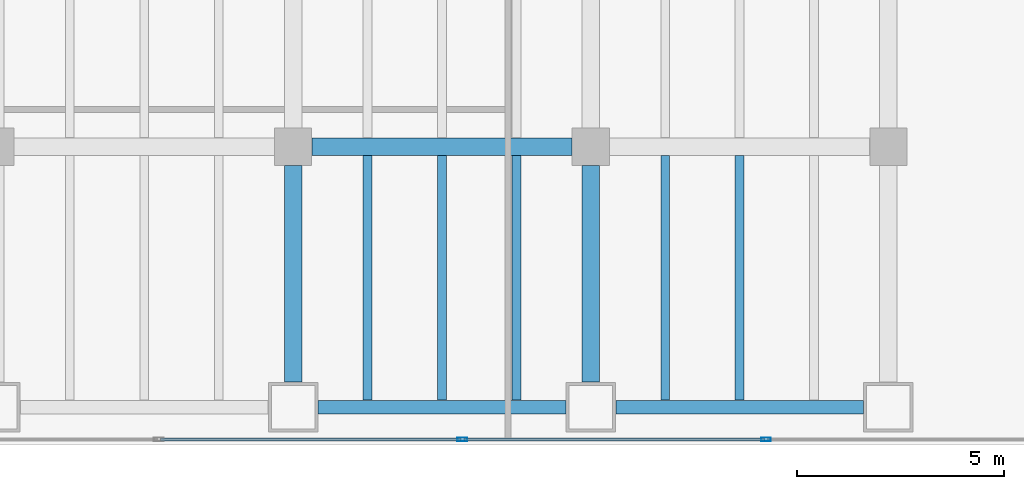
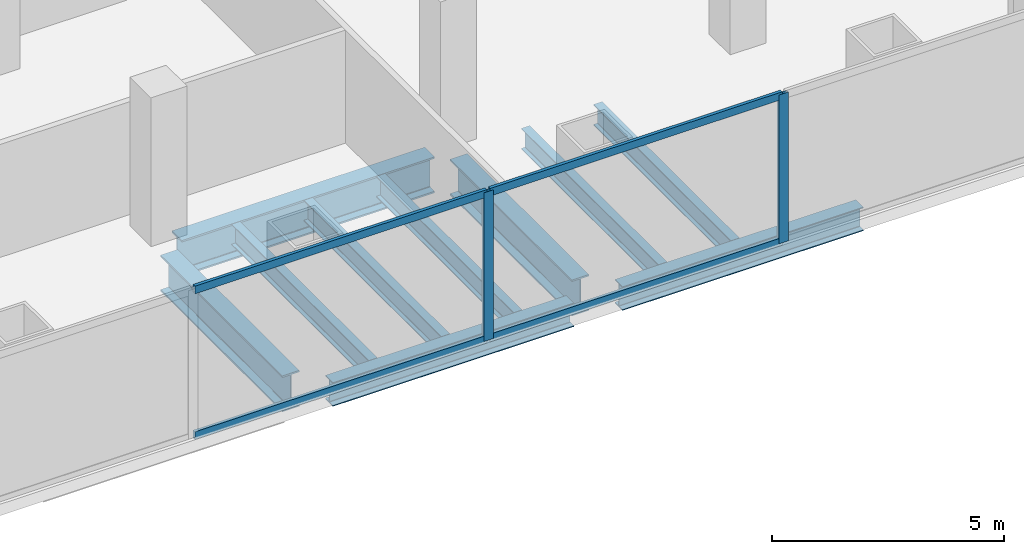
# One storey, part 16 of 29: 10 beams, 6 members, 1 element without a shape of its own.
"""IFC4 building model written with IfcOpenShell, lengths in metres."""

from ifc_helpers import new_model, si_unit, direction, frame, origin, origin_2d, place, context, subcontext, project, spatial, hollow_rectangle, i_section, extrude, material, material_profile, profile_set, type_object, element, aggregate, save


model = new_model("IFC4")

# Units and contexts
model_context = context("Model", 3, precision=1e-05, world=origin(), true_north=direction((0.0, 1.0)))
body_context = subcontext(model_context, "Body", "Model", "MODEL_VIEW")
ifc_project = project(units=[si_unit("LENGTHUNIT", "METRE"), si_unit("AREAUNIT", "SQUARE_METRE"), si_unit("VOLUMEUNIT", "CUBIC_METRE"), si_unit("PLANEANGLEUNIT", "RADIAN"), si_unit("MASSUNIT", "GRAM", prefix="KILO")], contexts=[model_context])

# Site, building, storey
site_placement = place(None, origin())
site = spatial("IfcSite", under=ifc_project, at=site_placement, CompositionType="ELEMENT")
building_placement = place(site_placement, origin())
building = spatial("IfcBuilding", under=site, at=building_placement, Name="Cobrela Telecom Tower", CompositionType="ELEMENT")
storey_placement = place(building_placement, frame((0.0, 0.0, 13.64990234375)))
storey = spatial("IfcBuildingStorey", under=building, at=storey_placement, Name="L03", CompositionType="ELEMENT", Elevation=13.64990234375)

# Beams
ifc_material_1 = material(Name="Steel ASTM A992 Grade 50", Category="steel")
ifc_material_profile_1 = material_profile(ifc_material_1, i_section(OverallWidth=0.424072265625, OverallDepth=0.947021484375, WebThickness=0.02392578125, FlangeThickness=0.042724609375, FilletRadius=0.02392578125, at=origin_2d()), Name="W36X302")
ifc_profile_set_1 = profile_set([ifc_material_profile_1], Name="Steel ASTM A992 Grade 50")
beam_type_1 = type_object("IfcBeamType", Name="BM-GIRD-01", PredefinedType="USERDEFINED", material=ifc_profile_set_1)
beam_placement = place(storey_placement, frame((65.2548828125, 7.199951171875, -0.7734375), z_axis=(1.0, 0.0, 0.0), x_axis=(0.0, 1.0, 0.0)))
element("IfcBeam", 1, at=beam_placement, inside=storey, type_object=beam_type_1, Name="L03 Primary Girder X18", ObjectType="GIRDER", PredefinedType="USERDEFINED", context=body_context, shape_type="SweptSolid", body=[
    extrude(i_section(OverallWidth=0.424072265625, OverallDepth=0.947021484375, WebThickness=0.02392578125, FlangeThickness=0.042724609375, FilletRadius=0.02392578125, at=origin_2d()), origin(), (0.0, 0.0, 1.0), 6.2900390625),
])
for number, where, z_axis, x_axis, name in (
    (2, (64.800048828125, 1.5048828125, -0.7734375), (0.0, 1.0, 0.0), (-1.0, 0.0, 0.0), "L03 Primary Girder Y91"),
    (3, (72.0, 1.5048828125, -0.7734375), (0.0, 1.0, 0.0), (-1.0, 0.0, 0.0), "L03 Primary Girder Y94"),
):
    element("IfcBeam", number, at=place(storey_placement, frame(where, z_axis=z_axis, x_axis=x_axis)), inside=storey, type_object=beam_type_1, Name=name, ObjectType="GIRDER", PredefinedType="USERDEFINED", context=body_context, shape_type="SweptSolid", body=[
        extrude(i_section(OverallWidth=0.424072265625, OverallDepth=0.947021484375, WebThickness=0.02392578125, FlangeThickness=0.042724609375, FilletRadius=0.02392578125, at=origin_2d()), origin(), (0.0, 0.0, 1.0), 5.240234375),
    ])
ifc_material_profile_2 = material_profile(ifc_material_1, i_section(OverallWidth=0.212890625, OverallDepth=0.549072265625, WebThickness=0.0146484375, FlangeThickness=0.023681640625, FilletRadius=0.013916015625, at=origin_2d()), Name="W21X93")
ifc_profile_set_2 = profile_set([ifc_material_profile_2], Name="Steel ASTM A992 Grade 50")
beam_type_2 = type_object("IfcBeamType", Name="BM-JOIST-01", PredefinedType="JOIST", material=ifc_profile_set_2)
for number, where, z_axis, x_axis, name in (
    (4, (66.60009765625, 1.069091796875, -0.574462890625), (0.0, 1.0, 0.0), (-1.0, 0.0, 0.0), "L03 Secondary Composite Floor Beam J118"),
    (5, (68.39990234375, 1.069091796875, -0.574462890625), (0.0, 1.0, 0.0), (-1.0, 0.0, 0.0), "L03 Secondary Composite Floor Beam J121"),
    (6, (70.199951171875, 1.069091796875, -0.574462890625), (0.0, 1.0, 0.0), (-1.0, 0.0, 0.0), "L03 Secondary Composite Floor Beam J124"),
    (7, (73.800048828125, 1.069091796875, -0.574462890625), (0.0, 1.0, 0.0), (-1.0, 0.0, 0.0), "L03 Secondary Composite Floor Beam J127"),
    (8, (75.60009765625, 1.069091796875, -0.574462890625), (0.0, 1.0, 0.0), (-1.0, 0.0, 0.0), "L03 Secondary Composite Floor Beam J130"),
):
    element("IfcBeam", number, at=place(storey_placement, frame(where, z_axis=z_axis, x_axis=x_axis)), inside=storey, type_object=beam_type_2, Name=name, PredefinedType="JOIST", context=body_context, shape_type="SweptSolid", body=[
        extrude(i_section(OverallWidth=0.212890625, OverallDepth=0.549072265625, WebThickness=0.0146484375, FlangeThickness=0.023681640625, FilletRadius=0.013916015625, at=origin_2d()), origin(), (0.0, 0.0, 1.0), 5.913818359375),
    ])
ifc_material_profile_3 = material_profile(ifc_material_1, i_section(OverallWidth=0.327880859375, OverallDepth=0.6220703125, WebThickness=0.015380859375, FlangeThickness=0.0244140625, FilletRadius=0.014892578125, at=origin_2d()), Name="W24X131")
ifc_profile_set_3 = profile_set([ifc_material_profile_3], Name="Steel ASTM A992 Grade 50")
beam_type_3 = type_object("IfcBeamType", Name="BM-SPAND-01", PredefinedType="SPANDREL", material=ifc_profile_set_3)
for number, where, z_axis, x_axis, name in (
    (9, (65.405029296875, 0.89990234375, -0.61083984375), (1.0, 0.0, 0.0), (0.0, 1.0, 0.0), "L03 Perimeter Spandrel X08"),
    (10, (72.60498046875, 0.89990234375, -0.61083984375), (1.0, 0.0, 0.0), (0.0, 1.0, 0.0), "L03 Perimeter Spandrel X09"),
):
    element("IfcBeam", number, at=place(storey_placement, frame(where, z_axis=z_axis, x_axis=x_axis)), inside=storey, type_object=beam_type_3, Name=name, PredefinedType="SPANDREL", context=body_context, shape_type="SweptSolid", body=[
        extrude(i_section(OverallWidth=0.327880859375, OverallDepth=0.6220703125, WebThickness=0.015380859375, FlangeThickness=0.0244140625, FilletRadius=0.014892578125, at=origin_2d()), origin(), (0.0, 0.0, 1.0), 5.989990234375),
    ])

# Curtain wall, members
ifc_material_2 = material(Name="Anodized Bronze Aluminium 6063-T6", Category="aluminium")
curtain_wall_type = type_object("IfcCurtainWallType", Name="CW-SYS-CONC", PredefinedType="USERDEFINED", material=ifc_material_2)
curtain_wall_placement = place(storey_placement, origin())
curtain_wall = element("IfcCurtainWall", 11, at=curtain_wall_placement, inside=storey, type_object=curtain_wall_type, Name="L03 Unitised Bronze Curtain Wall 17", ObjectType="UNITISED CURTAIN WALL", PredefinedType="USERDEFINED")
ifc_material_profile_4 = material_profile(ifc_material_2, hollow_rectangle(XDim=0.080078125, YDim=0.239990234375, WallThickness=0.0048828125, at=origin_2d()), Name="ALU 80x240x5")
ifc_profile_set_4 = profile_set([ifc_material_profile_4], Name="Anodized Bronze Aluminium 6063-T6")
member_type_1 = type_object("IfcMemberType", Name="CW-SYS-CONC-MUL", PredefinedType="MULLION", material=ifc_profile_set_4)
member_1_placement = place(storey_placement, frame((76.23828125, 0.1201171875, 0.0), z_axis=(0.0, 0.0, 1.0), x_axis=(0.0, -1.0, 0.0)))
member_1 = element("IfcMember", 12, at=member_1_placement, type_object=member_type_1, Name="CW-CONC mullion 2", PredefinedType="MULLION", context=body_context, shape_type="SweptSolid", body=[
    extrude(hollow_rectangle(XDim=0.080078125, YDim=0.239990234375, WallThickness=0.0048828125, at=origin_2d()), origin(), (0.0, 0.0, 1.0), 3.91015625),
])
member_2_placement = place(storey_placement, frame((68.896484375, 0.1201171875, 0.0), z_axis=(0.0, 0.0, 1.0), x_axis=(0.0, -1.0, 0.0)))
member_2 = element("IfcMember", 13, at=member_2_placement, type_object=member_type_1, Name="CW-CONC mullion 3", PredefinedType="MULLION", context=body_context, shape_type="SweptSolid", body=[
    extrude(hollow_rectangle(XDim=0.080078125, YDim=0.239990234375, WallThickness=0.0048828125, at=origin_2d()), origin(), (0.0, 0.0, 1.0), 3.91015625),
])
ifc_material_profile_5 = material_profile(ifc_material_2, hollow_rectangle(XDim=0.080078125, YDim=0.199951171875, WallThickness=0.00390625, at=origin_2d()), Name="ALU 80x200x4")
ifc_profile_set_5 = profile_set([ifc_material_profile_5], Name="Anodized Bronze Aluminium 6063-T6")
member_type_2 = type_object("IfcMemberType", Name="CW-SYS-CONC-TRN", PredefinedType="USERDEFINED", material=ifc_profile_set_5)
member_3_placement = place(storey_placement, frame((76.1982421875, 0.1201171875, 0.0400390625), z_axis=(-1.0, 0.0, 0.0), x_axis=(0.0, -1.0, 0.0)))
member_3 = element("IfcMember", 14, at=member_3_placement, type_object=member_type_2, Name="CW-CONC transom 2.1", ObjectType="TRANSOM", PredefinedType="USERDEFINED", context=body_context, shape_type="SweptSolid", body=[
    extrude(hollow_rectangle(XDim=0.080078125, YDim=0.199951171875, WallThickness=0.00390625, at=origin_2d()), origin(), (0.0, 0.0, 1.0), 7.261962890625),
])
member_4_placement = place(storey_placement, frame((76.1982421875, 0.1201171875, 3.8701171875), z_axis=(-1.0, 0.0, 0.0), x_axis=(0.0, -1.0, 0.0)))
member_4 = element("IfcMember", 15, at=member_4_placement, type_object=member_type_2, Name="CW-CONC transom 2.2", ObjectType="TRANSOM", PredefinedType="USERDEFINED", context=body_context, shape_type="SweptSolid", body=[
    extrude(hollow_rectangle(XDim=0.080078125, YDim=0.199951171875, WallThickness=0.00390625, at=origin_2d()), origin(), (0.0, 0.0, 1.0), 7.261962890625),
])
member_5_placement = place(storey_placement, frame((68.8564453125, 0.1201171875, 0.0400390625), z_axis=(-1.0, 0.0, 0.0), x_axis=(0.0, -1.0, 0.0)))
member_5 = element("IfcMember", 16, at=member_5_placement, type_object=member_type_2, Name="CW-CONC transom 3.1", ObjectType="TRANSOM", PredefinedType="USERDEFINED", context=body_context, shape_type="SweptSolid", body=[
    extrude(hollow_rectangle(XDim=0.080078125, YDim=0.199951171875, WallThickness=0.00390625, at=origin_2d()), origin(), (0.0, 0.0, 1.0), 7.261962890625),
])
member_6_placement = place(storey_placement, frame((68.8564453125, 0.1201171875, 3.8701171875), z_axis=(-1.0, 0.0, 0.0), x_axis=(0.0, -1.0, 0.0)))
member_6 = element("IfcMember", 17, at=member_6_placement, type_object=member_type_2, Name="CW-CONC transom 3.2", ObjectType="TRANSOM", PredefinedType="USERDEFINED", context=body_context, shape_type="SweptSolid", body=[
    extrude(hollow_rectangle(XDim=0.080078125, YDim=0.199951171875, WallThickness=0.00390625, at=origin_2d()), origin(), (0.0, 0.0, 1.0), 7.261962890625),
])
aggregate(curtain_wall, [member_1, member_2, member_3, member_4, member_5, member_6])

save(model, "model.ifc")
